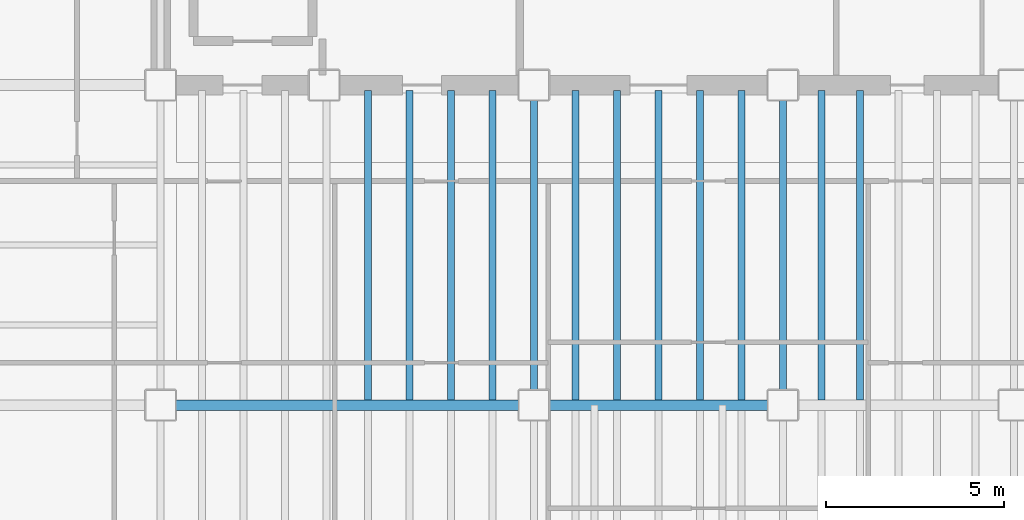
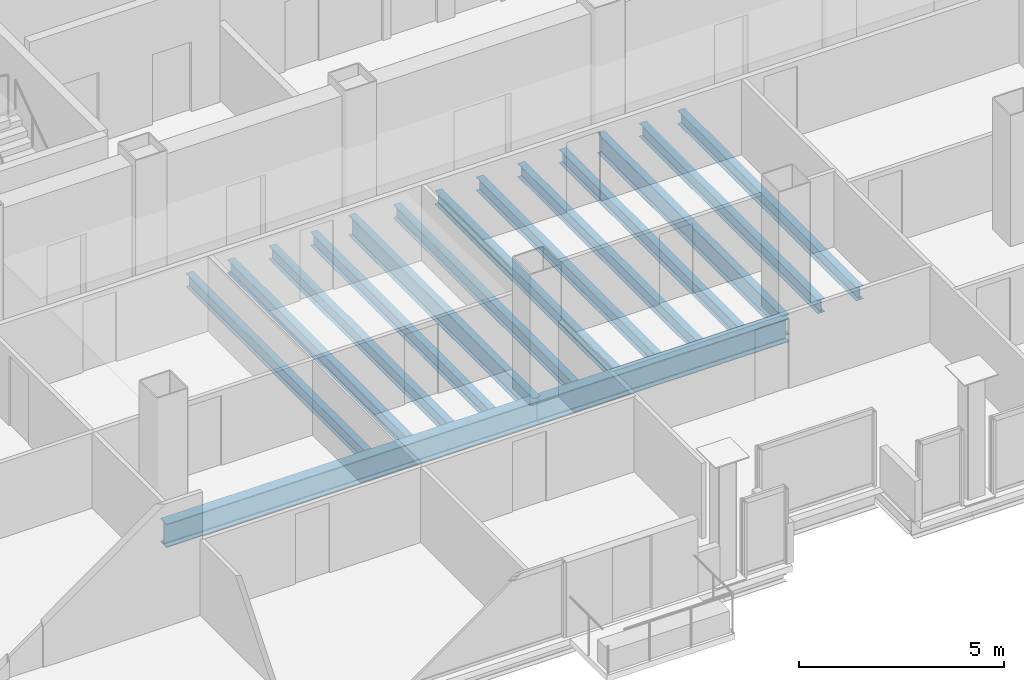
# One storey, part 7 of 22: 15 beams.
"""IFC4 building model written with IfcOpenShell, lengths in metres."""

from ifc_helpers import new_model, si_unit, direction, frame, origin, origin_2d, place, context, subcontext, project, spatial, i_section, extrude, material, material_profile, profile_set, type_object, element, save


model = new_model("IFC4")

# Units and contexts
model_context = context("Model", 3, precision=1e-05, world=origin(), true_north=direction((0.0, 1.0)))
body_context = subcontext(model_context, "Body", "Model", "MODEL_VIEW")
ifc_project = project(units=[si_unit("LENGTHUNIT", "METRE"), si_unit("AREAUNIT", "SQUARE_METRE"), si_unit("VOLUMEUNIT", "CUBIC_METRE"), si_unit("PLANEANGLEUNIT", "RADIAN"), si_unit("MASSUNIT", "GRAM", prefix="KILO")], contexts=[model_context])

# Site, building, storey
site_placement = place(None, origin())
site = spatial("IfcSite", under=ifc_project, at=site_placement, CompositionType="ELEMENT")
building_placement = place(site_placement, origin())
building = spatial("IfcBuilding", under=site, at=building_placement, Name="Noeulbin Bourse Tower", CompositionType="ELEMENT")
storey_placement = place(building_placement, frame((0.0, 0.0, 138.300048828125)))
storey = spatial("IfcBuildingStorey", under=building, at=storey_placement, Name="L34", CompositionType="ELEMENT", Elevation=138.300048828125)

# Beams
ifc_material = material(Name="Steel S355", Category="steel")
ifc_material_profile_1 = material_profile(ifc_material, i_section(OverallWidth=0.199951171875, OverallDepth=0.60009765625, WebThickness=0.010986328125, FlangeThickness=0.01708984375, FilletRadius=0.02197265625, at=origin_2d()), Name="H-600x200x11x17", Category="LoadBearing")
ifc_profile_set_1 = profile_set([ifc_material_profile_1], Name="Steel S355")
beam_type_1 = type_object("IfcBeamType", Name="BM-GRD-600", PredefinedType="USERDEFINED", material=ifc_profile_set_1)
for number, where, z_axis, x_axis, name in (
    (1, (24.0, 20.0, -0.47998046875), (0.0, 1.0, 0.0), (-1.0, 0.0, 0.0), "Tower Primary Girder NS L34-2.2"),
    (2, (31.0, 20.0, -0.47998046875), (0.0, 1.0, 0.0), (-1.0, 0.0, 0.0), "Tower Primary Girder NS L34-3.2"),
):
    element("IfcBeam", number, at=place(storey_placement, frame(where, z_axis=z_axis, x_axis=x_axis)), inside=storey, type_object=beam_type_1, Name=name, ObjectType="GIRDER", PredefinedType="USERDEFINED", context=body_context, shape_type="SweptSolid", body=[
        extrude(i_section(OverallWidth=0.199951171875, OverallDepth=0.60009765625, WebThickness=0.010986328125, FlangeThickness=0.01708984375, FilletRadius=0.02197265625, at=origin_2d()), origin(), (0.0, 0.0, 1.0), 9.0),
    ])
ifc_material_profile_2 = material_profile(ifc_material, i_section(OverallWidth=0.300048828125, OverallDepth=0.699951171875, WebThickness=0.012939453125, FlangeThickness=0.02392578125, FilletRadius=0.02392578125, at=origin_2d()), Name="H-700x300x13x24", Category="LoadBearing")
ifc_profile_set_2 = profile_set([ifc_material_profile_2], Name="Steel S355")
beam_type_2 = type_object("IfcBeamType", Name="BM-GRD-700", PredefinedType="USERDEFINED", material=ifc_profile_set_2)
beam_1_placement = place(storey_placement, frame((13.5, 20.0, -0.530029296875), z_axis=(1.0, 0.0, 0.0), x_axis=(0.0, 1.0, 0.0)))
element("IfcBeam", 3, at=beam_1_placement, inside=storey, type_object=beam_type_2, Name="Tower Primary Girder EW L34-1.2", ObjectType="GIRDER", PredefinedType="USERDEFINED", context=body_context, shape_type="SweptSolid", body=[
    extrude(i_section(OverallWidth=0.300048828125, OverallDepth=0.699951171875, WebThickness=0.012939453125, FlangeThickness=0.02392578125, FilletRadius=0.02392578125, at=origin_2d()), origin(), (0.0, 0.0, 1.0), 10.5),
])
beam_2_placement = place(storey_placement, frame((24.0, 20.0, -0.530029296875), z_axis=(1.0, 0.0, 0.0), x_axis=(0.0, 1.0, 0.0)))
element("IfcBeam", 4, at=beam_2_placement, inside=storey, type_object=beam_type_2, Name="Tower Primary Girder EW L34-1.3", ObjectType="GIRDER", PredefinedType="USERDEFINED", context=body_context, shape_type="SweptSolid", body=[
    extrude(i_section(OverallWidth=0.300048828125, OverallDepth=0.699951171875, WebThickness=0.012939453125, FlangeThickness=0.02392578125, FilletRadius=0.02392578125, at=origin_2d()), origin(), (0.0, 0.0, 1.0), 7.0),
])
ifc_material_profile_3 = material_profile(ifc_material, i_section(OverallWidth=0.199951171875, OverallDepth=0.39990234375, WebThickness=0.008056640625, FlangeThickness=0.012939453125, FilletRadius=0.01611328125, at=origin_2d()), Name="H-400x200x8x13", Category="LoadBearing")
ifc_profile_set_3 = profile_set([ifc_material_profile_3], Name="Steel S355")
beam_type_3 = type_object("IfcBeamType", Name="BM-SEC-400", PredefinedType="BEAM", material=ifc_profile_set_3)
for number, where, z_axis, x_axis, name in (
    (5, (19.333251953125, 20.14990234375, -0.380126953125), (0.0, 1.0, 0.0), (-1.0, 0.0, 0.0), "Tower Composite Joist L34-10"),
    (6, (20.5, 20.14990234375, -0.380126953125), (0.0, 1.0, 0.0), (-1.0, 0.0, 0.0), "Tower Composite Joist L34-12"),
    (7, (21.666748046875, 20.14990234375, -0.380126953125), (0.0, 1.0, 0.0), (-1.0, 0.0, 0.0), "Tower Composite Joist L34-14"),
    (8, (22.833251953125, 20.14990234375, -0.380126953125), (0.0, 1.0, 0.0), (-1.0, 0.0, 0.0), "Tower Composite Joist L34-16"),
    (9, (25.166748046875, 20.14990234375, -0.380126953125), (0.0, 1.0, 0.0), (-1.0, 0.0, 0.0), "Tower Composite Joist L34-18"),
    (10, (26.333251953125, 20.14990234375, -0.380126953125), (0.0, 1.0, 0.0), (-1.0, 0.0, 0.0), "Tower Composite Joist L34-20"),
    (11, (27.5, 20.14990234375, -0.380126953125), (0.0, 1.0, 0.0), (-1.0, 0.0, 0.0), "Tower Composite Joist L34-22"),
    (12, (28.666748046875, 20.14990234375, -0.380126953125), (0.0, 1.0, 0.0), (-1.0, 0.0, 0.0), "Tower Composite Joist L34-24"),
    (13, (29.833251953125, 20.14990234375, -0.380126953125), (0.0, 1.0, 0.0), (-1.0, 0.0, 0.0), "Tower Composite Joist L34-26"),
    (14, (32.083251953125, 20.14990234375, -0.380126953125), (0.0, 1.0, 0.0), (-1.0, 0.0, 0.0), "Tower Composite Joist L34-28"),
    (15, (33.166748046875, 20.14990234375, -0.380126953125), (0.0, 1.0, 0.0), (-1.0, 0.0, 0.0), "Tower Composite Joist L34-30"),
):
    element("IfcBeam", number, at=place(storey_placement, frame(where, z_axis=z_axis, x_axis=x_axis)), inside=storey, type_object=beam_type_3, Name=name, PredefinedType="BEAM", context=body_context, shape_type="SweptSolid", body=[
        extrude(i_section(OverallWidth=0.199951171875, OverallDepth=0.39990234375, WebThickness=0.008056640625, FlangeThickness=0.012939453125, FilletRadius=0.01611328125, at=origin_2d()), origin(), (0.0, 0.0, 1.0), 8.7001953125),
    ])

save(model, "model.ifc")
